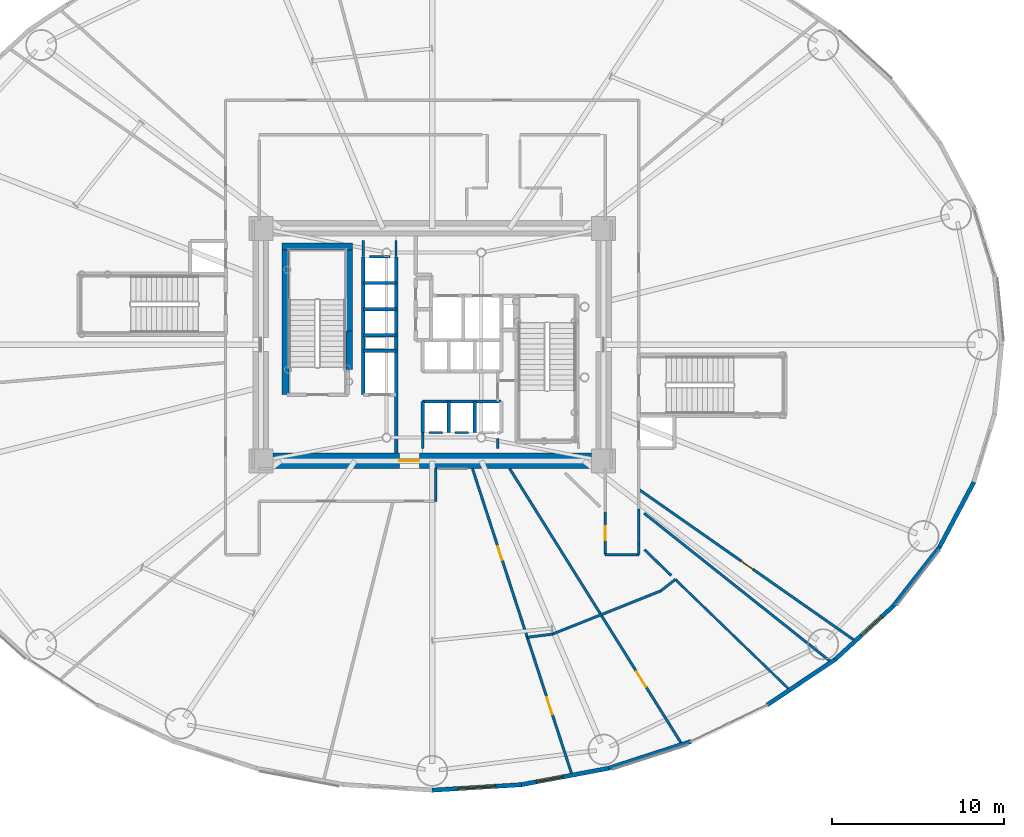
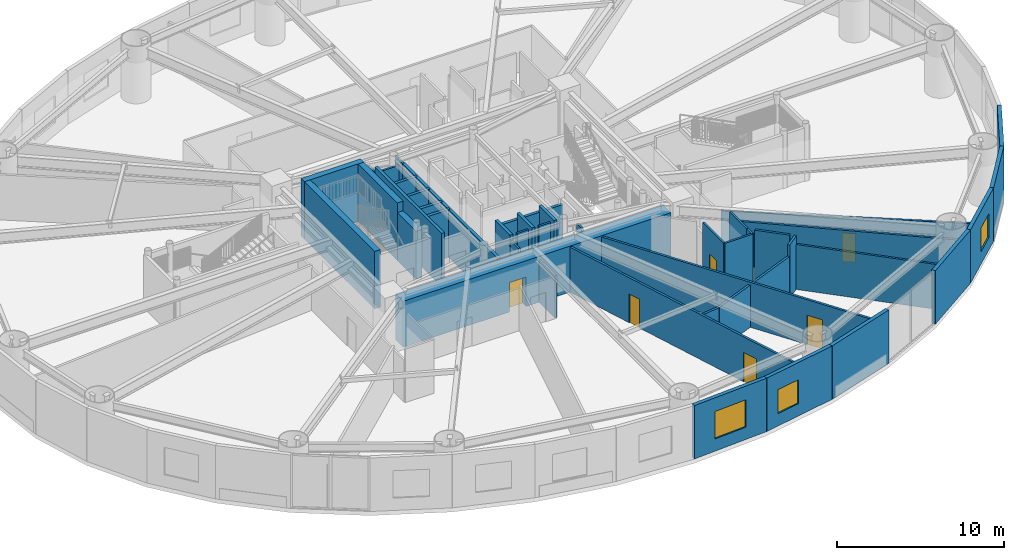
# One storey, part 16 of 30: 43 walls, 6 doors, 3 windows, 9 openings.
"""IFC4 building model written with IfcOpenShell, lengths in metres."""

import ifcopenshell
import ifcopenshell.guid

model = None  # the IFC model being written
_history = None  # IfcOwnerHistory: only IFC2X3 demands one
_inside = {}  # id of a spatial element -> (the spatial element, [elements in it])
_under = {}  # id of a project, library or spatial element -> (it, [spatial elements below it])
_declared = {}  # id of a project -> (the project, [libraries it declares])
_typed = {}  # id of a type object -> (the type object, [elements of that type])
_made_of = {}  # id of a material, layer set ... -> (it, [elements and type objects made of it])


def new_model(schema):
    """Start an empty IFC model of exactly this schema.

    Asked for "IFC4X3", IfcOpenShell would pick the latest addendum, in which some entities
    have other attributes; the version numbers below select the first issue.
    IFC2X3 requires an IfcOwnerHistory on every rooted entity: one is made here for all.
    """
    global model, _history
    if schema == "IFC4X3":
        model = ifcopenshell.file(schema_version=(4, 3, 0, 0))
    else:
        model = ifcopenshell.file(schema=schema)
    _inside.clear()
    _under.clear()
    _declared.clear()
    _typed.clear()
    _made_of.clear()
    _history = None
    if model.schema == "IFC2X3":
        org = make("IfcOrganization", Name="unknown")
        user = make(
            "IfcPersonAndOrganization",
            ThePerson=make("IfcPerson", FamilyName="unknown"),
            TheOrganization=org,
        )
        app = make(
            "IfcApplication",
            ApplicationDeveloper=org,
            Version="unknown",
            ApplicationFullName="unknown",
            ApplicationIdentifier="unknown",
        )
        _history = make(
            "IfcOwnerHistory",
            OwningUser=user,
            OwningApplication=app,
            ChangeAction="ADDED",
            CreationDate=0,
        )
    return model


def make(cls, **values):
    """One entity of the class cls with the attributes given. An attribute that is None is left unset."""
    return model.create_entity(
        cls, **{name: value for name, value in values.items() if value is not None}
    )


def rooted(cls, **values):
    """An entity with a GlobalId (a new one), such as an element, a storey or a relation."""
    return make(cls, GlobalId=ifcopenshell.guid.new(), OwnerHistory=_history, **values)


def si_unit(unit_type, name, prefix=None):
    """IfcSIUnit, for example si_unit("LENGTHUNIT", "METRE", prefix="MILLI")."""
    return make("IfcSIUnit", UnitType=unit_type, Prefix=prefix, Name=name)


def assignment(units):
    """IfcUnitAssignment: the units of a project."""
    return None if units is None else make("IfcUnitAssignment", Units=units)


def point(xyz):
    """IfcCartesianPoint."""
    return None if xyz is None else make("IfcCartesianPoint", Coordinates=xyz)


def direction(xyz):
    """IfcDirection."""
    return None if xyz is None else make("IfcDirection", DirectionRatios=xyz)


def frame(location, z_axis=None, x_axis=None):
    """IfcAxis2Placement3D, a coordinate frame: its origin and axes. An axis left out is left unset."""
    return make(
        "IfcAxis2Placement3D",
        Location=point(location),
        Axis=direction(z_axis),
        RefDirection=direction(x_axis),
    )


def frame_2d(location, x_axis=None):
    """IfcAxis2Placement2D, a coordinate frame in the plane: its origin and x axis."""
    return make(
        "IfcAxis2Placement2D", Location=point(location), RefDirection=direction(x_axis)
    )


def origin():
    """The frame at (0, 0, 0) with its axes left unset."""
    return frame((0.0, 0.0, 0.0))


def origin_2d():
    """The frame at (0, 0) in the plane with its x axis left unset."""
    return frame_2d((0.0, 0.0))


def place(relative_to, where):
    """IfcLocalPlacement: puts the frame where relative to a parent placement (None: the world)."""
    return make(
        "IfcLocalPlacement", PlacementRelTo=relative_to, RelativePlacement=where
    )


def context(
    kind, dimensions, precision=None, world=None, true_north=None, identifier=None
):
    """IfcGeometricRepresentationContext, for example the 3D "Model" context."""
    return make(
        "IfcGeometricRepresentationContext",
        ContextIdentifier=identifier,
        ContextType=kind,
        CoordinateSpaceDimension=dimensions,
        Precision=precision,
        WorldCoordinateSystem=world,
        TrueNorth=true_north,
    )


def subcontext(parent, identifier, kind, view, scale=None):
    """IfcGeometricRepresentationSubContext, for example "Body" below "Model"."""
    return make(
        "IfcGeometricRepresentationSubContext",
        ContextIdentifier=identifier,
        ContextType=kind,
        ParentContext=parent,
        TargetScale=scale,
        TargetView=view,
    )


def project(units=None, contexts=None):
    """IfcProject with its units and contexts."""
    return rooted(
        "IfcProject",
        Name="project",
        RepresentationContexts=contexts,
        UnitsInContext=assignment(units),
    )


def spatial(cls, under=None, at=None, **own):
    """A site, building, storey or space (cls), placed at a placement, below another one or the project."""
    s = rooted(cls, ObjectPlacement=at, **own)
    if under is not None:
        _under.setdefault(under.id(), (under, []))[1].append(s)
    return s


def profile(cls, at=None, kind="AREA", **sizes):
    """A parametric profile (cls). Its sizes go by their IFC names, for example OverallWidth=200.0."""
    return make(cls, ProfileType=kind, Position=at, **sizes)


def rectangle(**sizes):
    """IfcRectangleProfileDef."""
    return profile("IfcRectangleProfileDef", **sizes)


def extrude(swept, where, along, depth):
    """IfcExtrudedAreaSolid: the profile swept, set in the frame where, extruded along a direction by depth."""
    return make(
        "IfcExtrudedAreaSolid",
        SweptArea=swept,
        Position=where,
        ExtrudedDirection=direction(along),
        Depth=depth,
    )


def shape(context_of_items, identifier, shape_type, items):
    """IfcShapeRepresentation: the items that make up one representation, for example the "Body"."""
    return make(
        "IfcShapeRepresentation",
        ContextOfItems=context_of_items,
        RepresentationIdentifier=identifier,
        RepresentationType=shape_type,
        Items=items,
    )


def source(mapping_origin, context_of_items, identifier, shape_type, items):
    """IfcRepresentationMap: a shape defined once, which mapped items show again and again."""
    return make(
        "IfcRepresentationMap",
        MappingOrigin=mapping_origin,
        MappedRepresentation=shape(context_of_items, identifier, shape_type, items),
    )


def transform(
    local_origin,
    x_axis=None,
    y_axis=None,
    z_axis=None,
    scale=None,
    scale2=None,
    scale3=None,
    uniform=True,
):
    """IfcCartesianTransformationOperator3D, or its non-uniform kind. x_axis, y_axis, z_axis: its Axis1, 2, 3."""
    if uniform:
        return make(
            "IfcCartesianTransformationOperator3D",
            Axis1=direction(x_axis),
            Axis2=direction(y_axis),
            LocalOrigin=point(local_origin),
            Scale=scale,
            Axis3=direction(z_axis),
        )
    return make(
        "IfcCartesianTransformationOperator3DnonUniform",
        Axis1=direction(x_axis),
        Axis2=direction(y_axis),
        LocalOrigin=point(local_origin),
        Scale=scale,
        Axis3=direction(z_axis),
        Scale2=scale2,
        Scale3=scale3,
    )


def mapped(mapping_source, mapping_target):
    """IfcMappedItem: shows the shape of a source again, moved by a transform."""
    return make(
        "IfcMappedItem", MappingSource=mapping_source, MappingTarget=mapping_target
    )


def material(Name=None, Category=None):
    """IfcMaterial."""
    return make("IfcMaterial", Name=Name, Category=Category)


def layer(
    of_material, thickness, ventilated=None, Name=None, Category=None, Priority=None
):
    """IfcMaterialLayer: one layer of a wall or slab, of a material (None: an air gap)."""
    return make(
        "IfcMaterialLayer",
        Material=of_material,
        LayerThickness=thickness,
        IsVentilated=ventilated,
        Name=Name,
        Category=Category,
        Priority=Priority,
    )


def layer_set(layers, Name=None):
    """IfcMaterialLayerSet."""
    return make("IfcMaterialLayerSet", MaterialLayers=layers, LayerSetName=Name)


def made_of(thing, what):
    """Note that an element or type object is made of a material, layer set ...; save() writes the relation."""
    if what is not None:
        _made_of.setdefault(what.id(), (what, []))[1].append(thing)
    return thing


def type_object(cls, material=None, **own):
    """A type object (cls), such as IfcWallType, which elements share."""
    return made_of(rooted(cls, **own), material)


def element(
    cls,
    number,
    at=None,
    inside=None,
    cuts=None,
    type_object=None,
    material=None,
    context=None,
    identifier="Body",
    shape_type=None,
    held_by="IfcProductDefinitionShape",
    body=None,
    shapes=None,
    **own,
):
    """One element of the class cls, such as IfcWall. Its Tag is "e" and its number.

    at: its placement. inside: the storey or other place that contains it. cuts: it is an
    opening in that element (IfcRelVoidsElement). A single representation is given by context,
    identifier, shape_type and body (its items); several are given by shapes. held_by: the class
    of the entity that holds the representations. save() writes the other relations.
    """
    e = rooted(cls, Tag="e%d" % number, ObjectPlacement=at, **own)
    if body is not None:
        shapes = [shape(context, identifier, shape_type, body)]
    if shapes is not None:
        e.Representation = make(held_by, Representations=shapes)
    if inside is not None:
        _inside.setdefault(inside.id(), (inside, []))[1].append(e)
    if cuts is not None:
        rooted(
            "IfcRelVoidsElement", RelatingBuildingElement=cuts, RelatedOpeningElement=e
        )
    if type_object is not None:
        _typed.setdefault(type_object.id(), (type_object, []))[1].append(e)
    return made_of(e, material)


def fill(opening, filler):
    """IfcRelFillsElement: the door or window that sits in an opening."""
    return rooted(
        "IfcRelFillsElement",
        RelatingOpeningElement=opening,
        RelatedBuildingElement=filler,
    )


def aggregate(whole, parts):
    """IfcRelAggregates: a whole, such as a stair, and the parts it consists of."""
    return rooted("IfcRelAggregates", RelatingObject=whole, RelatedObjects=parts)


def save(model, path):
    """Write the relations noted so far, then the file.

    IfcRelAggregates (storeys below a building ...), IfcRelContainedInSpatialStructure (elements
    in a storey), IfcRelDefinesByType, IfcRelAssociatesMaterial and IfcRelDeclares: one each for
    every whole, place, type object, material and project.
    """
    for whole, parts in _under.values():
        aggregate(whole, parts)
    for where, things in _inside.values():
        rooted(
            "IfcRelContainedInSpatialStructure",
            RelatedElements=things,
            RelatingStructure=where,
        )
    for kind, things in _typed.values():
        rooted("IfcRelDefinesByType", RelatedObjects=things, RelatingType=kind)
    for what, things in _made_of.values():
        rooted("IfcRelAssociatesMaterial", RelatedObjects=things, RelatingMaterial=what)
    for by, libraries in _declared.values():
        rooted("IfcRelDeclares", RelatingContext=by, RelatedDefinitions=libraries)
    model.write(path)


model = new_model("IFC4")

# Units and contexts
model_context = context("Model", 3, precision=1e-05, world=origin(), true_north=direction((0.0, 1.0)))
body_context = subcontext(model_context, "Body", "Model", "MODEL_VIEW")
ifc_project = project(units=[si_unit("LENGTHUNIT", "METRE"), si_unit("AREAUNIT", "SQUARE_METRE"), si_unit("VOLUMEUNIT", "CUBIC_METRE"), si_unit("PLANEANGLEUNIT", "RADIAN"), si_unit("MASSUNIT", "GRAM", prefix="KILO")], contexts=[model_context])

# Site, building, storey
site_placement = place(None, origin())
site = spatial("IfcSite", under=ifc_project, at=site_placement, CompositionType="ELEMENT")
building_placement = place(site_placement, origin())
building = spatial("IfcBuilding", under=site, at=building_placement, Name="Linh Dai School and Residence Tower", CompositionType="ELEMENT")
storey_placement = place(building_placement, frame((0.0, 0.0, 10.199951171875)))
storey = spatial("IfcBuildingStorey", under=building, at=storey_placement, Name="L02", CompositionType="ELEMENT", Elevation=10.199951171875)

# Wall, opening, window
ifc_material_1 = material(Name="Precast Concrete B45 (C35/45)", Category="concrete")
ifc_layer_1 = layer(ifc_material_1, 0.25)
ifc_layer_set_1 = layer_set([ifc_layer_1], Name="Precast Concrete B45 (C35/45)")
wall_type_1 = type_object("IfcWallType", Name="EW-TC-250", PredefinedType="SOLIDWALL", material=ifc_layer_set_1)
wall_1_placement = place(storey_placement, frame((41.17822265625, 1.444091796875, 0.0), z_axis=(0.0, 0.0, 1.0), x_axis=(-0.998106762298, -0.061505211614, 0.0)))
wall_1 = element("IfcWall", 1, at=wall_1_placement, inside=storey, type_object=wall_type_1, Name="L02 Terracotta Exterior Wall 31", PredefinedType="SOLIDWALL", context=body_context, shape_type="SweptSolid", body=[
    extrude(rectangle(XDim=5.18798828125, YDim=0.25, at=frame_2d((2.593994140625, 0.0))), origin(), (0.0, 0.0, 1.0), 3.900146484375),
])
opening_1_placement = place(wall_1_placement, frame((1.493896484375, 0.0, 0.89990234375)))
opening_1 = element("IfcOpeningElement", 2, at=opening_1_placement, cuts=wall_1, Name="Opening W4", PredefinedType="OPENING", context=body_context, shape_type="SweptSolid", body=[
    extrude(rectangle(XDim=2.199951171875, YDim=2.0, at=origin_2d()), frame((1.10009765625, 0.135009765625, 1.0), z_axis=(0.0, -1.0, 0.0), x_axis=(1.0, 0.0, 0.0)), (0.0, 0.0, 1.0), 0.27001953125),
])
ifc_material_2 = material(Name="Acoustic Laminated Low-E Glazing", Category="glass")
window_type_1 = type_object("IfcWindowType", Name="WN-SCH-2200x2000", PartitioningType="TRIPLE_PANEL_VERTICAL", PredefinedType="WINDOW", material=ifc_material_2)
shared_shape_1 = source(origin(), body_context, "Body", "SweptSolid", [
    extrude(rectangle(XDim=2.199951171875, YDim=2.0, at=origin_2d()), frame((1.10009765625, 0.030029296875, 1.0), z_axis=(0.0, -1.0, 0.0), x_axis=(1.0, 0.0, 0.0)), (0.0, 0.0, 1.0), 0.06005859375),
])
window_1_placement = place(opening_1_placement, origin())
window_1 = element("IfcWindow", 3, at=window_1_placement, inside=storey, type_object=window_type_1, Name="L02 Exterior Window 31.1", OverallHeight=2.0, OverallWidth=2.199951171875, PartitioningType="TRIPLE_PANEL_VERTICAL", PredefinedType="WINDOW", context=body_context, shape_type="MappedRepresentation", body=[
    mapped(shared_shape_1, transform((0.0, 0.0, 0.0), x_axis=(1.0, 0.0, 0.0), y_axis=(0.0, 1.0, 0.0), z_axis=(0.0, 0.0, 1.0), scale=1.0)),
])
fill(opening_1, window_1)

wall_2_placement = place(storey_placement, frame((46.228515625, 2.3935546875, 0.0), z_axis=(0.0, 0.0, 1.0), x_axis=(-0.98278278947, -0.184764684726, 0.0)))
wall_2 = element("IfcWall", 4, at=wall_2_placement, inside=storey, type_object=wall_type_1, Name="L02 Terracotta Exterior Wall 32", PredefinedType="SOLIDWALL", context=body_context, shape_type="SweptSolid", body=[
    extrude(rectangle(XDim=5.138671875, YDim=0.25, at=frame_2d((2.5693359375, 0.0))), origin(), (0.0, 0.0, 1.0), 3.900146484375),
])
opening_2_placement = place(wall_2_placement, frame((2.654296875, 0.0, 0.89990234375)))
opening_2 = element("IfcOpeningElement", 5, at=opening_2_placement, cuts=wall_2, Name="Opening W2", PredefinedType="OPENING", context=body_context, shape_type="SweptSolid", body=[
    extrude(rectangle(XDim=1.60009765625, YDim=1.75, at=origin_2d()), frame((0.800048828125, 0.135009765625, 0.875), z_axis=(0.0, -1.0, 0.0), x_axis=(1.0, 0.0, 0.0)), (0.0, 0.0, 1.0), 0.27001953125),
])
ifc_material_3 = material(Name="Double Low-E Insulated Glazing", Category="glass")
window_type_2 = type_object("IfcWindowType", Name="WN-RES-1600x1750", PartitioningType="DOUBLE_PANEL_VERTICAL", PredefinedType="WINDOW", material=ifc_material_3)
shared_shape_2 = source(origin(), body_context, "Body", "SweptSolid", [
    extrude(rectangle(XDim=1.60009765625, YDim=1.75, at=origin_2d()), frame((0.800048828125, 0.030029296875, 0.875), z_axis=(0.0, -1.0, 0.0), x_axis=(1.0, 0.0, 0.0)), (0.0, 0.0, 1.0), 0.06005859375),
])
window_2_placement = place(opening_2_placement, origin())
window_2 = element("IfcWindow", 6, at=window_2_placement, inside=storey, type_object=window_type_2, Name="L02 Exterior Window 32.1", OverallHeight=1.75, OverallWidth=1.60009765625, PartitioningType="DOUBLE_PANEL_VERTICAL", PredefinedType="WINDOW", context=body_context, shape_type="MappedRepresentation", body=[
    mapped(shared_shape_2, transform((0.0, 0.0, 0.0), x_axis=(1.0, 0.0, 0.0), y_axis=(0.0, 1.0, 0.0), z_axis=(0.0, 0.0, 1.0), scale=1.0)),
])
fill(opening_2, window_2)

# Walls
wall_3_placement = place(storey_placement, frame((51.026123046875, 3.949951171875, 0.0), z_axis=(0.0, 0.0, 1.0), x_axis=(-0.951198629726, -0.308579271513, 0.0)))
element("IfcWall", 7, at=wall_3_placement, inside=storey, type_object=wall_type_1, Name="L02 Terracotta Exterior Wall 33", PredefinedType="SOLIDWALL", context=body_context, shape_type="SweptSolid", body=[
    extrude(rectangle(XDim=5.043701171875, YDim=0.25, at=frame_2d((2.52197265625, 0.0))), origin(), (0.0, 0.0, 1.0), 3.900146484375),
])
wall_4_placement = place(storey_placement, frame((59.39892578125, 8.713623046875, 0.0), z_axis=(0.0, 0.0, 1.0), x_axis=(-0.831218664812, -0.555945618985, 0.0)))
element("IfcWall", 8, at=wall_4_placement, inside=storey, type_object=wall_type_1, Name="L02 Terracotta Exterior Wall 35", PredefinedType="SOLIDWALL", context=body_context, shape_type="SweptSolid", body=[
    extrude(rectangle(XDim=4.74755859375, YDim=0.25, at=frame_2d((2.373779296875, 0.0))), origin(), (0.0, 0.0, 1.0), 3.900146484375),
])

# Wall, opening, window
wall_5_placement = place(storey_placement, frame((62.767822265625, 11.802490234375, 0.0), z_axis=(0.0, 0.0, 1.0), x_axis=(-0.737076532105, -0.675809282136, 0.0)))
wall_5 = element("IfcWall", 9, at=wall_5_placement, inside=storey, type_object=wall_type_1, Name="L02 Terracotta Exterior Wall 36", PredefinedType="SOLIDWALL", context=body_context, shape_type="SweptSolid", body=[
    extrude(rectangle(XDim=4.570556640625, YDim=0.25, at=frame_2d((2.28515625, 0.0))), origin(), (0.0, 0.0, 1.0), 3.900146484375),
])
opening_3_placement = place(wall_5_placement, frame((0.89599609375, 0.0, 0.89990234375)))
opening_3 = element("IfcOpeningElement", 10, at=opening_3_placement, cuts=wall_5, Name="Opening W2", PredefinedType="OPENING", context=body_context, shape_type="SweptSolid", body=[
    extrude(rectangle(XDim=1.60009765625, YDim=1.75, at=origin_2d()), frame((0.800048828125, 0.135009765625, 0.875), z_axis=(0.0, -1.0, 0.0), x_axis=(1.0, 0.0, 0.0)), (0.0, 0.0, 1.0), 0.27001953125),
])
window_3_placement = place(opening_3_placement, origin())
window_3 = element("IfcWindow", 11, at=window_3_placement, inside=storey, type_object=window_type_2, Name="L02 Exterior Window 36.1", OverallHeight=1.75, OverallWidth=1.60009765625, PartitioningType="DOUBLE_PANEL_VERTICAL", PredefinedType="WINDOW", context=body_context, shape_type="MappedRepresentation", body=[
    mapped(shared_shape_2, transform((0.0, 0.0, 0.0), x_axis=(1.0, 0.0, 0.0), y_axis=(0.0, 1.0, 0.0), z_axis=(0.0, 0.0, 1.0), scale=1.0)),
])
fill(opening_3, window_3)

# Walls
wall_6_placement = place(storey_placement, frame((65.4765625, 15.264404296875, 0.0), z_axis=(0.0, 0.0, 1.0), x_axis=(-0.61622589112, -0.787569457961, 0.0)))
element("IfcWall", 12, at=wall_6_placement, inside=storey, type_object=wall_type_1, Name="L02 Terracotta Exterior Wall 37", PredefinedType="SOLIDWALL", context=body_context, shape_type="SweptSolid", body=[
    extrude(rectangle(XDim=4.395751953125, YDim=0.25, at=frame_2d((2.19775390625, 0.0))), origin(), (0.0, 0.0, 1.0), 3.900146484375),
])
wall_7_placement = place(storey_placement, frame((67.459716796875, 19.013427734375, 0.0), z_axis=(0.0, 0.0, 1.0), x_axis=(-0.467588829866, -0.883946087827, 0.0)))
element("IfcWall", 13, at=wall_7_placement, inside=storey, type_object=wall_type_1, Name="L02 Terracotta Exterior Wall 38", PredefinedType="SOLIDWALL", context=body_context, shape_type="SweptSolid", body=[
    extrude(rectangle(XDim=4.2412109375, YDim=0.25, at=frame_2d((2.12060546875, 0.0))), origin(), (0.0, 0.0, 1.0), 3.900146484375),
])
ifc_material_4 = material(Name="Autoclaved Aerated Concrete Blockwork", Category="masonry")
ifc_layer_2 = layer(ifc_material_4, 0.135009765625)
ifc_layer_set_2 = layer_set([ifc_layer_2], Name="Autoclaved Aerated Concrete Blockwork")
wall_type_2 = type_object("IfcWallType", Name="IW-CORR-135-EI90", PredefinedType="PARTITIONING", material=ifc_layer_set_2)
wall_8_placement = place(storey_placement, frame((36.199951171875, 17.89990234375, 0.0), z_axis=(0.0, 0.0, 1.0), x_axis=(0.0, 1.0, 0.0)))
element("IfcWall", 14, at=wall_8_placement, inside=storey, type_object=wall_type_2, Name="L02 Interior Partition Wall 040", PredefinedType="PARTITIONING", context=body_context, shape_type="SweptSolid", body=[
    extrude(rectangle(XDim=1.900146484375, YDim=0.135009765625, at=frame_2d((0.9501953125, 0.0))), origin(), (0.0, 0.0, 1.0), 3.0849609375),
])

# Wall, opening, door
wall_9_placement = place(storey_placement, frame((46.050048828125, 14.800048828125, 0.0), z_axis=(0.0, 0.0, 1.0), x_axis=(0.0, 1.0, 0.0)))
wall_9 = element("IfcWall", 15, at=wall_9_placement, inside=storey, type_object=wall_type_2, Name="L02 Interior Partition Wall 059", PredefinedType="PARTITIONING", context=body_context, shape_type="SweptSolid", body=[
    extrude(rectangle(XDim=2.494873046875, YDim=0.135009765625, at=frame_2d((1.24755859375, 0.0))), origin(), (0.0, 0.0, 1.0), 3.900146484375),
])
opening_4_placement = place(wall_9_placement, frame((0.83740234375, 0.0, 0.0)))
opening_4 = element("IfcOpeningElement", 16, at=opening_4_placement, cuts=wall_9, Name="Opening D06", PredefinedType="OPENING", context=body_context, shape_type="SweptSolid", body=[
    extrude(rectangle(XDim=0.820068359375, YDim=2.10009765625, at=origin_2d()), frame((0.41015625, 0.07763671875, 1.050048828125), z_axis=(0.0, -1.0, 0.0), x_axis=(1.0, 0.0, 0.0)), (0.0, 0.0, 1.0), 0.155029296875),
])
ifc_material_5 = material(Name="Moisture-Resistant Timber Bathroom Door", Category="wood")
door_type_1 = type_object("IfcDoorType", Name="DR-WET-820x2100", OperationType="NOTDEFINED", PredefinedType="DOOR", material=ifc_material_5)
shared_shape_3 = source(origin(), body_context, "Body", "SweptSolid", [
    extrude(rectangle(XDim=0.820068359375, YDim=2.10009765625, at=origin_2d()), frame((0.41015625, 0.02490234375, 1.050048828125), z_axis=(0.0, -1.0, 0.0), x_axis=(1.0, 0.0, 0.0)), (0.0, 0.0, 1.0), 0.050048828125),
])
door_1_placement = place(opening_4_placement, origin())
door_1 = element("IfcDoor", 17, at=door_1_placement, inside=storey, type_object=door_type_1, Name="L02 School Girls Washroom Door", OperationType="SINGLE_SWING_RIGHT", OverallHeight=2.10009765625, OverallWidth=0.820068359375, PredefinedType="DOOR", context=body_context, shape_type="MappedRepresentation", body=[
    mapped(shared_shape_3, transform((0.0, 0.0, 0.0), x_axis=(1.0, 0.0, 0.0), y_axis=(0.0, 1.0, 0.0), z_axis=(0.0, 0.0, 1.0), scale=1.0)),
])
fill(opening_4, door_1)

# Walls
wall_10_placement = place(storey_placement, frame((46.050048828125, 14.800048828125, 0.0), z_axis=(0.0, 0.0, 1.0), x_axis=(1.0, 0.0, 0.0)))
element("IfcWall", 18, at=wall_10_placement, inside=storey, type_object=wall_type_2, Name="L02 Interior Partition Wall 060", PredefinedType="PARTITIONING", context=body_context, shape_type="SweptSolid", body=[
    extrude(rectangle(XDim=1.949951171875, YDim=0.135009765625, at=frame_2d((0.97509765625, 0.0))), origin(), (0.0, 0.0, 1.0), 3.900146484375),
])
wall_11_placement = place(storey_placement, frame((48.0, 14.800048828125, 0.0), z_axis=(0.0, 0.0, 1.0), x_axis=(0.0, 1.0, 0.0)))
element("IfcWall", 19, at=wall_11_placement, inside=storey, type_object=wall_type_2, Name="L02 Interior Partition Wall 061", PredefinedType="PARTITIONING", context=body_context, shape_type="SweptSolid", body=[
    extrude(rectangle(XDim=0.611572265625, YDim=0.135009765625, at=frame_2d((0.3056640625, 0.0))), origin(), (0.0, 0.0, 1.0), 3.900146484375),
])
wall_12_placement = place(storey_placement, frame((36.60009765625, 21.89990234375, 0.0), z_axis=(0.0, 0.0, 1.0), x_axis=(-1.0, 0.0, 0.0)))
element("IfcWall", 20, at=wall_12_placement, inside=storey, type_object=wall_type_2, Name="L02 Interior Partition Wall 074", PredefinedType="PARTITIONING", context=body_context, shape_type="SweptSolid", body=[
    extrude(rectangle(XDim=0.7900390625, YDim=0.135009765625, at=frame_2d((0.39501953125, 0.0))), origin(), (0.0, 0.0, 1.0), 3.900146484375),
])
wall_13_placement = place(storey_placement, frame((38.1201171875, 21.89990234375, 0.0), z_axis=(0.0, 0.0, 1.0), x_axis=(-1.0, 0.0, 0.0)))
element("IfcWall", 21, at=wall_13_placement, inside=storey, type_object=wall_type_2, Name="L02 Interior Partition Wall 075", PredefinedType="PARTITIONING", context=body_context, shape_type="SweptSolid", body=[
    extrude(rectangle(XDim=0.800048828125, YDim=0.135009765625, at=frame_2d((0.39990234375, 0.0))), origin(), (0.0, 0.0, 1.0), 3.900146484375),
])
wall_14_placement = place(storey_placement, frame((32.360107421875, 32.10009765625, 0.0), z_axis=(0.0, 0.0, 1.0), x_axis=(1.0, 0.0, 0.0)))
element("IfcWall", 22, at=wall_14_placement, inside=storey, type_object=wall_type_2, Name="L02 Interior Partition Wall 077", PredefinedType="PARTITIONING", context=body_context, shape_type="SweptSolid", body=[
    extrude(rectangle(XDim=1.179931640625, YDim=0.135009765625, at=frame_2d((0.58984375, 0.0))), origin(), (0.0, 0.0, 1.0), 3.485107421875),
])
wall_15_placement = place(storey_placement, frame((39.800048828125, 20.9599609375, 0.0), z_axis=(0.0, 0.0, 1.0), x_axis=(0.0, 1.0, 0.0)))
element("IfcWall", 23, at=wall_15_placement, inside=storey, type_object=wall_type_2, Name="L02 Interior Partition Wall 078", PredefinedType="PARTITIONING", context=body_context, shape_type="SweptSolid", body=[
    extrude(rectangle(XDim=0.580078125, YDim=0.135009765625, at=frame_2d((0.2900390625, 0.0))), origin(), (0.0, 0.0, 1.0), 3.43505859375),
])
wall_16_placement = place(storey_placement, frame((32.0, 33.0400390625, 0.0), z_axis=(0.0, 0.0, 1.0), x_axis=(0.0, -1.0, 0.0)))
element("IfcWall", 24, at=wall_16_placement, inside=storey, type_object=wall_type_2, Name="L02 Interior Partition Wall 079", PredefinedType="PARTITIONING", context=body_context, shape_type="SweptSolid", body=[
    extrude(rectangle(XDim=0.929931640625, YDim=0.135009765625, at=frame_2d((0.46484375, 0.0))), origin(), (0.0, 0.0, 1.0), 3.43505859375),
])
for number, where, z_axis, x_axis, name in (
    (25, (35.449951171875, 21.889892578125, 0.0), (0.0, 0.0, 1.0), (0.0, -1.0, 0.0), "L02 Interior Partition Wall 081"),
    (26, (33.89990234375, 32.110107421875, 0.0), (0.0, 0.0, 1.0), (0.0, 1.0, 0.0), "L02 Interior Partition Wall 082"),
):
    element("IfcWall", number, at=place(storey_placement, frame(where, z_axis=z_axis, x_axis=x_axis)), inside=storey, type_object=wall_type_2, Name=name, PredefinedType="PARTITIONING", context=body_context, shape_type="SweptSolid", body=[
        extrude(rectangle(XDim=0.929931640625, YDim=0.135009765625, at=frame_2d((0.46484375, 0.0))), origin(), (0.0, 0.0, 1.0), 3.485107421875),
    ])
wall_17_placement = place(storey_placement, frame((48.0, 17.44482421875, 0.0), z_axis=(0.0, 0.0, 1.0), x_axis=(0.0, -1.0, 0.0)))
element("IfcWall", 27, at=wall_17_placement, inside=storey, type_object=wall_type_2, Name="L02 Interior Partition Wall 083", PredefinedType="PARTITIONING", context=body_context, shape_type="SweptSolid", body=[
    extrude(rectangle(XDim=2.023193359375, YDim=0.135009765625, at=frame_2d((1.01171875, 0.0))), origin(), (0.0, 0.0, 1.0), 3.900146484375),
])
wall_18_placement = place(storey_placement, frame((50.12109375, 13.36328125, 0.0), z_axis=(0.0, 0.0, 1.0), x_axis=(0.719341799646, -0.69465630011, 0.0)))
element("IfcWall", 28, at=wall_18_placement, inside=storey, type_object=wall_type_2, Name="L02 Interior Partition Wall 102", PredefinedType="PARTITIONING", context=body_context, shape_type="SweptSolid", body=[
    extrude(rectangle(XDim=9.2373046875, YDim=0.135009765625, at=frame_2d((4.61865234375, 0.0))), origin(), (0.0, 0.0, 1.0), 3.28515625),
])

# Wall, openings, doors
ifc_layer_3 = layer(ifc_material_4, 0.14990234375)
ifc_layer_set_3 = layer_set([ifc_layer_3], Name="Autoclaved Aerated Concrete Blockwork")
wall_type_3 = type_object("IfcWallType", Name="IW-SCH-150-EI60", PredefinedType="PARTITIONING", material=ifc_layer_set_3)
wall_19_placement = place(storey_placement, frame((38.33935546875, 19.800048828125, 0.0), z_axis=(0.0, 0.0, 1.0), x_axis=(0.309020911431, -0.951055243557, 0.0)))
wall_19 = element("IfcWall", 29, at=wall_19_placement, inside=storey, type_object=wall_type_3, Name="L02 Interior Partition Wall 044", PredefinedType="PARTITIONING", context=body_context, shape_type="SweptSolid", body=[
    extrude(rectangle(XDim=18.723388671875, YDim=0.14990234375, at=frame_2d((9.36181640625, 0.0))), origin(), (0.0, 0.0, 1.0), 3.28515625),
])
opening_5_placement = place(wall_19_placement, frame((4.759521484375, 0.0, 0.0)))
opening_5 = element("IfcOpeningElement", 30, at=opening_5_placement, cuts=wall_19, Name="Opening D06", PredefinedType="OPENING", context=body_context, shape_type="SweptSolid", body=[
    extrude(rectangle(XDim=0.820068359375, YDim=2.10009765625, at=origin_2d()), frame((0.41015625, 0.0849609375, 1.050048828125), z_axis=(0.0, -1.0, 0.0), x_axis=(1.0, 0.0, 0.0)), (0.0, 0.0, 1.0), 0.169921875),
])
opening_6_placement = place(wall_19_placement, frame((13.96630859375, 0.0, 0.0)))
opening_6 = element("IfcOpeningElement", 31, at=opening_6_placement, cuts=wall_19, Name="Opening D04", PredefinedType="OPENING", context=body_context, shape_type="SweptSolid", body=[
    extrude(rectangle(XDim=1.050048828125, YDim=2.14990234375, at=origin_2d()), frame((0.52490234375, 0.0849609375, 1.074951171875), z_axis=(0.0, -1.0, 0.0), x_axis=(1.0, 0.0, 0.0)), (0.0, 0.0, 1.0), 0.169921875),
])
ifc_material_6 = material(Name="Acoustic Vision-Panel Timber Classroom Door", Category="wood")
door_type_2 = type_object("IfcDoorType", Name="DR-SCH-1050x2150-FD60S", OperationType="NOTDEFINED", PredefinedType="DOOR", material=ifc_material_6)
shared_shape_4 = source(origin(), body_context, "Body", "SweptSolid", [
    extrude(rectangle(XDim=1.050048828125, YDim=2.14990234375, at=origin_2d()), frame((0.52490234375, 0.02490234375, 1.074951171875), z_axis=(0.0, -1.0, 0.0), x_axis=(1.0, 0.0, 0.0)), (0.0, 0.0, 1.0), 0.050048828125),
])
door_2_placement = place(opening_6_placement, origin())
door_2 = element("IfcDoor", 32, at=door_2_placement, inside=storey, type_object=door_type_2, Name="L02 Resource Study Room BWC Door", OperationType="SINGLE_SWING_LEFT", OverallHeight=2.14990234375, OverallWidth=1.050048828125, PredefinedType="DOOR", context=body_context, shape_type="MappedRepresentation", body=[
    mapped(shared_shape_4, transform((0.0, 0.0, 0.0), x_axis=(1.0, 0.0, 0.0), y_axis=(0.0, 1.0, 0.0), z_axis=(0.0, 0.0, 1.0), scale=1.0)),
])
fill(opening_6, door_2)
door_3_placement = place(opening_5_placement, origin())
door_3 = element("IfcDoor", 33, at=door_3_placement, inside=storey, type_object=door_type_1, Name="L02 School Boys Washroom Door", OperationType="SINGLE_SWING_RIGHT", OverallHeight=2.10009765625, OverallWidth=0.820068359375, PredefinedType="DOOR", context=body_context, shape_type="MappedRepresentation", body=[
    mapped(shared_shape_3, transform((0.0, 0.0, 0.0), x_axis=(1.0, 0.0, 0.0), y_axis=(0.0, 1.0, 0.0), z_axis=(0.0, 0.0, 1.0), scale=1.0)),
])
fill(opening_5, door_3)

# Wall, opening, door
wall_20_placement = place(storey_placement, frame((40.4990234375, 19.800048828125, 0.0), z_axis=(0.0, 0.0, 1.0), x_axis=(0.529919953547, -0.848047665425, 0.0)))
wall_20 = element("IfcWall", 34, at=wall_20_placement, inside=storey, type_object=wall_type_3, Name="L02 Interior Partition Wall 053", PredefinedType="PARTITIONING", context=body_context, shape_type="SweptSolid", body=[
    extrude(rectangle(XDim=18.893310546875, YDim=0.14990234375, at=frame_2d((9.44677734375, 0.0))), origin(), (0.0, 0.0, 1.0), 3.28515625),
])
opening_7_placement = place(wall_20_placement, frame((13.905517578125, 0.0, 0.0)))
opening_7 = element("IfcOpeningElement", 35, at=opening_7_placement, cuts=wall_20, Name="Opening D04", PredefinedType="OPENING", context=body_context, shape_type="SweptSolid", body=[
    extrude(rectangle(XDim=1.050048828125, YDim=2.14990234375, at=origin_2d()), frame((0.52490234375, 0.0849609375, 1.074951171875), z_axis=(0.0, -1.0, 0.0), x_axis=(1.0, 0.0, 0.0)), (0.0, 0.0, 1.0), 0.169921875),
])
door_4_placement = place(opening_7_placement, origin())
door_4 = element("IfcDoor", 36, at=door_4_placement, inside=storey, type_object=door_type_2, Name="L02 Resource Study Room GWC Door", OperationType="SINGLE_SWING_LEFT", OverallHeight=2.14990234375, OverallWidth=1.050048828125, PredefinedType="DOOR", context=body_context, shape_type="MappedRepresentation", body=[
    mapped(shared_shape_4, transform((0.0, 0.0, 0.0), x_axis=(1.0, 0.0, 0.0), y_axis=(0.0, 1.0, 0.0), z_axis=(0.0, 0.0, 1.0), scale=1.0)),
])
fill(opening_7, door_4)

# Walls
wall_21_placement = place(storey_placement, frame((41.52197265625, 10.0048828125, 0.0), z_axis=(0.0, 0.0, 1.0), x_axis=(0.992392781159, 0.123112013644, 0.0)))
element("IfcWall", 37, at=wall_21_placement, inside=storey, type_object=wall_type_3, Name="L02 Interior Partition Wall 056", PredefinedType="PARTITIONING", context=body_context, shape_type="SweptSolid", body=[
    extrude(rectangle(XDim=1.465576171875, YDim=0.14990234375, at=frame_2d((0.73291015625, 0.0))), origin(), (0.0, 0.0, 1.0), 3.0849609375),
])
wall_22_placement = place(storey_placement, frame((42.976318359375, 10.185302734375, 0.0), z_axis=(0.0, 0.0, 1.0), x_axis=(0.928789451967, 0.370607816857, 0.0)))
element("IfcWall", 38, at=wall_22_placement, inside=storey, type_object=wall_type_3, Name="L02 Interior Partition Wall 057", PredefinedType="PARTITIONING", context=body_context, shape_type="SweptSolid", body=[
    extrude(rectangle(XDim=6.77587890625, YDim=0.14990234375, at=frame_2d((3.387939453125, 0.0))), origin(), (0.0, 0.0, 1.0), 3.0849609375),
])

# Wall, opening, door
wall_23_placement = place(storey_placement, frame((48.0, 18.597412109375, 0.0), z_axis=(0.0, 0.0, 1.0), x_axis=(0.819153488973, -0.573574373123, 0.0)))
wall_23 = element("IfcWall", 39, at=wall_23_placement, inside=storey, type_object=wall_type_3, Name="L02 Interior Partition Wall 063", PredefinedType="PARTITIONING", context=body_context, shape_type="SweptSolid", body=[
    extrude(rectangle(XDim=15.3564453125, YDim=0.14990234375, at=frame_2d((7.67822265625, 0.0))), origin(), (0.0, 0.0, 1.0), 3.28515625),
])
opening_8_placement = place(wall_23_placement, frame((7.268310546875, 0.0, 0.0)))
opening_8 = element("IfcOpeningElement", 40, at=opening_8_placement, cuts=wall_23, Name="Opening D06", PredefinedType="OPENING", context=body_context, shape_type="SweptSolid", body=[
    extrude(rectangle(XDim=0.820068359375, YDim=2.10009765625, at=origin_2d()), frame((0.41015625, 0.0849609375, 1.050048828125), z_axis=(0.0, -1.0, 0.0), x_axis=(1.0, 0.0, 0.0)), (0.0, 0.0, 1.0), 0.169921875),
])
door_5_placement = place(opening_8_placement, origin())
door_5 = element("IfcDoor", 41, at=door_5_placement, inside=storey, type_object=door_type_1, Name="L02 School Accessible Washroom Door", OperationType="SINGLE_SWING_RIGHT", OverallHeight=2.10009765625, OverallWidth=0.820068359375, PredefinedType="DOOR", context=body_context, shape_type="MappedRepresentation", body=[
    mapped(shared_shape_3, transform((0.0, 0.0, 0.0), x_axis=(1.0, 0.0, 0.0), y_axis=(0.0, 1.0, 0.0), z_axis=(0.0, 0.0, 1.0), scale=1.0)),
])
fill(opening_8, door_5)

# Walls
wall_24_placement = place(storey_placement, frame((49.269775390625, 12.696533203125, 0.0), z_axis=(0.0, 0.0, 1.0), x_axis=(0.787281025789, 0.616594345119, 0.0)))
element("IfcWall", 42, at=wall_24_placement, inside=storey, type_object=wall_type_3, Name="L02 Interior Partition Wall 070", PredefinedType="PARTITIONING", context=body_context, shape_type="SweptSolid", body=[
    extrude(rectangle(XDim=1.081298828125, YDim=0.14990234375, at=frame_2d((0.54052734375, 0.0))), origin(), (0.0, 0.0, 1.0), 3.900146484375),
])
wall_25_placement = place(storey_placement, frame((48.327392578125, 15.095458984375, 0.0), z_axis=(0.0, 0.0, 1.0), x_axis=(0.719401460617, -0.6945945137, 0.0)))
element("IfcWall", 43, at=wall_25_placement, inside=storey, type_object=wall_type_3, Name="L02 Interior Partition Wall 101", PredefinedType="PARTITIONING", context=body_context, shape_type="SweptSolid", body=[
    extrude(rectangle(XDim=2.1552734375, YDim=0.14990234375, at=frame_2d((1.07763671875, 0.0))), origin(), (0.0, 0.0, 1.0), 3.900146484375),
])
wall_26_placement = place(storey_placement, frame((59.180419921875, 8.5615234375, 0.0), z_axis=(0.0, 0.0, 1.0), x_axis=(-0.782605918506, 0.622517450614, 0.0)))
element("IfcWall", 44, at=wall_26_placement, inside=storey, type_object=wall_type_3, Name="L02 Interior Partition Wall 103", PredefinedType="PARTITIONING", context=body_context, shape_type="SweptSolid", body=[
    extrude(rectangle(XDim=13.89306640625, YDim=0.14990234375, at=frame_2d((6.946533203125, 0.0))), origin(), (0.0, 0.0, 1.0), 3.28515625),
])
ifc_material_7 = material(Name="Concrete B45 (C35/45)", Category="concrete")
ifc_layer_4 = layer(ifc_material_7, 0.199951171875)
ifc_layer_set_4 = layer_set([ifc_layer_4], Name="Concrete B45 (C35/45)")
wall_type_4 = type_object("IfcWallType", Name="IW-SHAFT-200-EI120", PredefinedType="PARTITIONING", material=ifc_layer_set_4)
wall_27_placement = place(storey_placement, frame((32.0, 24.10009765625, 0.0), z_axis=(0.0, 0.0, 1.0), x_axis=(0.0, 1.0, 0.0)))
element("IfcWall", 45, at=wall_27_placement, inside=storey, type_object=wall_type_4, Name="L02 Interior Partition Wall 021", PredefinedType="PARTITIONING", context=body_context, shape_type="SweptSolid", body=[
    extrude(rectangle(XDim=8.0, YDim=0.199951171875, at=frame_2d((4.0, 0.0))), origin(), (0.0, 0.0, 1.0), 3.900146484375),
])
for number, where, z_axis, x_axis, name in (
    (46, (32.0, 26.64990234375, 0.0), (0.0, 0.0, 1.0), (1.0, 0.0, 0.0), "L02 Interior Partition Wall 023"),
    (47, (32.0, 27.550048828125, 0.0), (0.0, 0.0, 1.0), (1.0, 0.0, 0.0), "L02 Interior Partition Wall 024"),
    (48, (32.0, 29.06005859375, 0.0), (0.0, 0.0, 1.0), (1.0, 0.0, 0.0), "L02 Interior Partition Wall 025"),
    (49, (32.0, 30.580078125, 0.0), (0.0, 0.0, 1.0), (1.0, 0.0, 0.0), "L02 Interior Partition Wall 026"),
):
    element("IfcWall", number, at=place(storey_placement, frame(where, z_axis=z_axis, x_axis=x_axis)), inside=storey, type_object=wall_type_4, Name=name, PredefinedType="PARTITIONING", context=body_context, shape_type="SweptSolid", body=[
        extrude(rectangle(XDim=1.89990234375, YDim=0.199951171875, at=frame_2d((0.949951171875, 0.0))), origin(), (0.0, 0.0, 1.0), 3.485107421875),
    ])
wall_28_placement = place(storey_placement, frame((33.89990234375, 20.699951171875, 0.0), z_axis=(0.0, 0.0, 1.0), x_axis=(0.0, 1.0, 0.0)))
element("IfcWall", 50, at=wall_28_placement, inside=storey, type_object=wall_type_4, Name="L02 Interior Partition Wall 027", PredefinedType="PARTITIONING", context=body_context, shape_type="SweptSolid", body=[
    extrude(rectangle(XDim=11.400146484375, YDim=0.199951171875, at=frame_2d((5.7001953125, 0.0))), origin(), (0.0, 0.0, 1.0), 3.485107421875),
])
wall_29_placement = place(storey_placement, frame((35.449951171875, 21.89990234375, 0.0), z_axis=(0.0, 0.0, 1.0), x_axis=(0.0, 1.0, 0.0)))
element("IfcWall", 51, at=wall_29_placement, inside=storey, type_object=wall_type_4, Name="L02 Interior Partition Wall 034", PredefinedType="PARTITIONING", context=body_context, shape_type="SweptSolid", body=[
    extrude(rectangle(XDim=1.800048828125, YDim=0.199951171875, at=frame_2d((0.89990234375, 0.0))), origin(), (0.0, 0.0, 1.0), 3.900146484375),
])
wall_30_placement = place(storey_placement, frame((35.449951171875, 23.699951171875, 0.0), z_axis=(0.0, 0.0, 1.0), x_axis=(1.0, 0.0, 0.0)))
element("IfcWall", 52, at=wall_30_placement, inside=storey, type_object=wall_type_4, Name="L02 Interior Partition Wall 035", PredefinedType="PARTITIONING", context=body_context, shape_type="SweptSolid", body=[
    extrude(rectangle(XDim=4.550048828125, YDim=0.199951171875, at=frame_2d((2.27490234375, 0.0))), origin(), (0.0, 0.0, 1.0), 3.485107421875),
])
for number, where, z_axis, x_axis, name in (
    (53, (36.9599609375, 21.89990234375, 0.0), (0.0, 0.0, 1.0), (0.0, 1.0, 0.0), "L02 Interior Partition Wall 041"),
    (54, (38.47998046875, 21.89990234375, 0.0), (0.0, 0.0, 1.0), (0.0, 1.0, 0.0), "L02 Interior Partition Wall 045"),
):
    element("IfcWall", number, at=place(storey_placement, frame(where, z_axis=z_axis, x_axis=x_axis)), inside=storey, type_object=wall_type_4, Name=name, PredefinedType="PARTITIONING", context=body_context, shape_type="SweptSolid", body=[
        extrude(rectangle(XDim=1.800048828125, YDim=0.199951171875, at=frame_2d((0.89990234375, 0.0))), origin(), (0.0, 0.0, 1.0), 3.900146484375),
    ])
ifc_layer_5 = layer(ifc_material_7, 0.39990234375)
ifc_layer_set_5 = layer_set([ifc_layer_5], Name="Concrete B45 (C35/45)")
wall_type_5 = type_object("IfcWallType", Name="WL-CORE400", PredefinedType="SHEAR", material=ifc_layer_set_5)
wall_31_placement = place(storey_placement, frame((27.47998046875, 24.10009765625, 0.0), z_axis=(0.0, 0.0, 1.0), x_axis=(0.0, 1.0, 0.0)))
element("IfcWall", 55, at=wall_31_placement, inside=storey, type_object=wall_type_5, Name="L02 Core Stair ST1 Bearing Wall W", PredefinedType="SHEAR", context=body_context, shape_type="SweptSolid", body=[
    extrude(rectangle(XDim=8.599853515625, YDim=0.39990234375, at=frame_2d((4.2998046875, 0.0))), origin(), (0.0, 0.0, 1.0), 4.199951171875),
])
wall_32_placement = place(storey_placement, frame((31.179931640625, 27.800048828125, 0.0), z_axis=(0.0, 0.0, 1.0), x_axis=(0.0, 1.0, 0.0)))
element("IfcWall", 56, at=wall_32_placement, inside=storey, type_object=wall_type_5, Name="L02 Core Stair ST1 Bearing Wall E", PredefinedType="SHEAR", context=body_context, shape_type="SweptSolid", body=[
    extrude(rectangle(XDim=4.89990234375, YDim=0.39990234375, at=frame_2d((2.449951171875, 0.0))), origin(), (0.0, 0.0, 1.0), 4.199951171875),
])
wall_33_placement = place(storey_placement, frame((27.280029296875, 32.699951171875, 0.0), z_axis=(0.0, 0.0, 1.0), x_axis=(1.0, 0.0, 0.0)))
element("IfcWall", 57, at=wall_33_placement, inside=storey, type_object=wall_type_5, Name="L02 Core Stair ST1 Bearing Wall N", PredefinedType="SHEAR", context=body_context, shape_type="SweptSolid", body=[
    extrude(rectangle(XDim=4.099853515625, YDim=0.39990234375, at=frame_2d((2.0498046875, 0.0))), origin(), (0.0, 0.0, 1.0), 4.199951171875),
])
wall_34_placement = place(storey_placement, frame((31.179931640625, 25.550048828125, 0.0), z_axis=(0.0, 0.0, 1.0), x_axis=(0.0, 1.0, 0.0)))
element("IfcWall", 58, at=wall_34_placement, inside=storey, type_object=wall_type_5, Name="L02 Internal Core Shear Wall IW", PredefinedType="SHEAR", context=body_context, shape_type="SweptSolid", body=[
    extrude(rectangle(XDim=2.25, YDim=0.39990234375, at=frame_2d((1.125, 0.0))), origin(), (0.0, 0.0, 1.0), 3.5),
])

# Wall, opening, door
ifc_material_8 = material(Name="Concrete B60 (C50/60)", Category="concrete")
ifc_layer_6 = layer(ifc_material_8, 0.89990234375)
ifc_layer_set_6 = layer_set([ifc_layer_6], Name="Concrete B60 (C50/60)")
wall_type_6 = type_object("IfcWallType", Name="WL-CORE900", PredefinedType="SHEAR", material=ifc_layer_set_6)
wall_35_placement = place(storey_placement, frame((45.25, 20.25, 0.0), z_axis=(0.0, 0.0, 1.0), x_axis=(-1.0, 0.0, 0.0)))
wall_35 = element("IfcWall", 59, at=wall_35_placement, inside=storey, type_object=wall_type_6, Name="L02 Central Core Shear Wall S", PredefinedType="SHEAR", context=body_context, shape_type="SweptSolid", body=[
    extrude(rectangle(XDim=18.5, YDim=0.89990234375, at=frame_2d((9.25, 0.0))), origin(), (0.0, 0.0, 1.0), 3.35009765625),
])
opening_9_placement = place(wall_35_placement, frame((10.0, 0.0, 0.0)))
opening_9 = element("IfcOpeningElement", 60, at=opening_9_placement, cuts=wall_35, Name="Opening D02", PredefinedType="OPENING", context=body_context, shape_type="SweptSolid", body=[
    extrude(rectangle(XDim=1.14990234375, YDim=2.14990234375, at=origin_2d()), frame((0.574951171875, 0.4599609375, 1.074951171875), z_axis=(0.0, -1.0, 0.0), x_axis=(1.0, 0.0, 0.0)), (0.0, 0.0, 1.0), 0.919921875),
])
ifc_material_9 = material(Name="Fire-Rated Glazed Steel Lobby Door", Category="steel")
door_type_3 = type_object("IfcDoorType", Name="DR-LOBBY-1150x2150-FD90S", OperationType="NOTDEFINED", PredefinedType="DOOR", material=ifc_material_9)
shared_shape_5 = source(origin(), body_context, "Body", "SweptSolid", [
    extrude(rectangle(XDim=1.14990234375, YDim=2.14990234375, at=origin_2d()), frame((0.574951171875, 0.02490234375, 1.074951171875), z_axis=(0.0, -1.0, 0.0), x_axis=(1.0, 0.0, 0.0)), (0.0, 0.0, 1.0), 0.050048828125),
])
door_6_placement = place(opening_9_placement, origin())
door_6 = element("IfcDoor", 61, at=door_6_placement, inside=storey, type_object=door_type_3, Name="L02 Passenger Foyer Access Door", OperationType="SINGLE_SWING_LEFT", OverallHeight=2.14990234375, OverallWidth=1.14990234375, PredefinedType="DOOR", context=body_context, shape_type="MappedRepresentation", body=[
    mapped(shared_shape_5, transform((0.0, 0.0, 0.0), x_axis=(1.0, 0.0, 0.0), y_axis=(0.0, 1.0, 0.0), z_axis=(0.0, 0.0, 1.0), scale=1.0)),
])
fill(opening_9, door_6)

save(model, "model.ifc")
